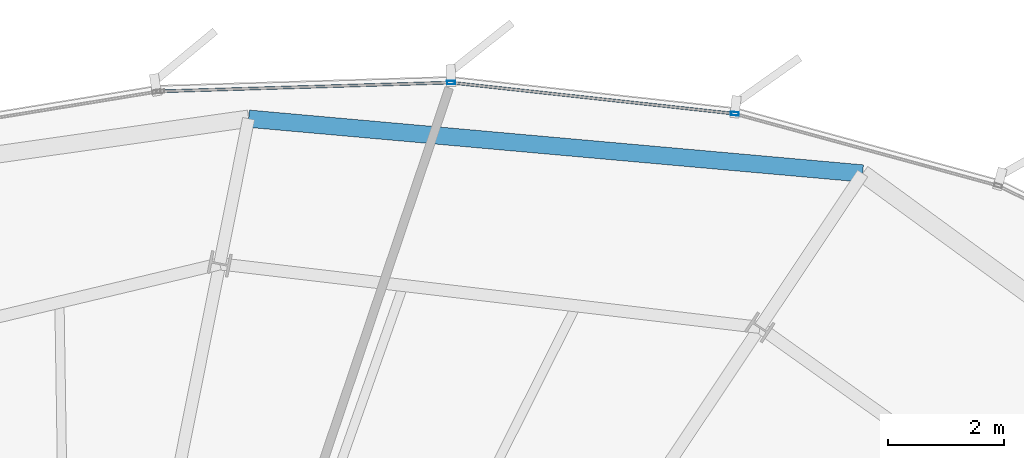
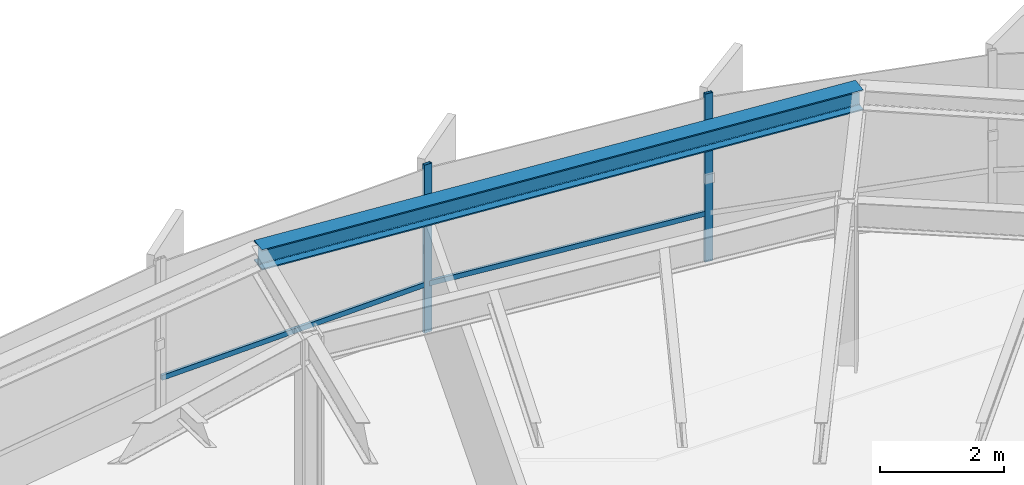
# One storey, part 27 of 36: 4 members, 1 beam, 1 element without a shape of its own.
"""IFC4 building model written with IfcOpenShell, lengths in metres."""

from ifc_helpers import new_model, si_unit, direction, frame, origin, origin_2d, place, context, subcontext, project, spatial, hollow_rectangle, i_section, extrude, source, transform, mapped, material, layer, layer_set, material_profile, profile_set, type_object, element, aggregate, save


model = new_model("IFC4")

# Units and contexts
model_context = context("Model", 3, precision=1e-05, world=origin(), true_north=direction((0.0, 1.0)))
body_context = subcontext(model_context, "Body", "Model", "MODEL_VIEW")
ifc_project = project(units=[si_unit("LENGTHUNIT", "METRE"), si_unit("AREAUNIT", "SQUARE_METRE"), si_unit("VOLUMEUNIT", "CUBIC_METRE"), si_unit("PLANEANGLEUNIT", "RADIAN"), si_unit("MASSUNIT", "GRAM", prefix="KILO"), si_unit("THERMODYNAMICTEMPERATUREUNIT", "KELVIN")], contexts=[model_context])

# Site, building, storey
site_placement = place(None, origin())
site = spatial("IfcSite", under=ifc_project, at=site_placement, CompositionType="ELEMENT")
building_placement = place(site_placement, origin())
building = spatial("IfcBuilding", under=site, at=building_placement, Name="Kethvar Cultural Tower", CompositionType="ELEMENT")
storey_placement = place(building_placement, frame((0.0, 0.0, 150.10009765625)))
storey = spatial("IfcBuildingStorey", under=building, at=storey_placement, Name="L38", CompositionType="ELEMENT", Elevation=150.10009765625)

# Beam
ifc_material_1 = material(Name="Steel S355J2", Category="steel")
ifc_material_profile_1 = material_profile(ifc_material_1, i_section(OverallWidth=0.300048828125, OverallDepth=0.39990234375, WebThickness=0.013427734375, FlangeThickness=0.02392578125, FilletRadius=0.027099609375, at=origin_2d()), Name="Steel S355J2 — HEB400")
ifc_profile_set_1 = profile_set([ifc_material_profile_1], Name="Steel S355J2 — HEB400")
beam_type = type_object("IfcBeamType", Name="BM-SP400", PredefinedType="SPANDREL", material=ifc_profile_set_1)
shared_shape_1 = source(origin(), body_context, "Body", "SweptSolid", [
    extrude(i_section(OverallWidth=0.300048828125, OverallDepth=0.39990234375, WebThickness=0.013427734375, FlangeThickness=0.02392578125, FilletRadius=0.027099609375, at=origin_2d()), origin(), (0.0, 0.0, 1.0), 10.6572265625),
])
beam_placement = place(storey_placement, frame((62.1826171875, 50.821533203125, 3.097900390625), z_axis=(-0.996041871393, 0.088885265554, 0.0), x_axis=(-0.088885265554, -0.996041871393, 0.0)))
element("IfcBeam", 1, at=beam_placement, inside=storey, type_object=beam_type, Name="L38 Perimeter Spandrel Beam SP-03", PredefinedType="SPANDREL", context=body_context, shape_type="MappedRepresentation", body=[
    mapped(shared_shape_1, transform((0.0, 0.0, 0.0), scale=1.0)),
])

# Curtain wall, members
ifc_material_2 = material(Name="Aluminium 6063-T6", Category="aluminium")
ifc_layer = layer(ifc_material_2, 0.179931640625, Name="Aluminium 6063-T6", Category="aluminium")
ifc_layer_set = layer_set([ifc_layer], Name="Aluminium 6063-T6 (180 mm)")
curtain_wall_type = type_object("IfcCurtainWallType", Name="CW-SYS-04-Z34", PredefinedType="NOTDEFINED", material=ifc_layer_set)
curtain_wall_placement = place(storey_placement, origin())
curtain_wall = element("IfcCurtainWall", 2, at=curtain_wall_placement, inside=storey, type_object=curtain_wall_type, Name="L38 Curtain Wall Run 01", PredefinedType="NOTDEFINED")
ifc_material_profile_2 = material_profile(ifc_material_2, hollow_rectangle(XDim=0.06005859375, YDim=0.139892578125, WallThickness=0.0048828125, at=origin_2d()), Name="Aluminium 6063-T6 — RHS140x60x5")
ifc_profile_set_2 = profile_set([ifc_material_profile_2], Name="Aluminium 6063-T6 — RHS140x60x5")
member_type_1 = type_object("IfcMemberType", Name="CW-SYS-04-Z34-MUL", PredefinedType="MULLION", material=ifc_profile_set_2)
shared_shape_2 = source(origin(), body_context, "Body", "SweptSolid", [
    extrude(hollow_rectangle(XDim=0.06005859375, YDim=0.139892578125, WallThickness=0.0048828125, at=origin_2d()), origin(), (0.0, 0.0, 1.0), 3.2998046875),
])
member_1_placement = place(storey_placement, frame((59.971435546875, 51.8544921875, 0.0), z_axis=(0.0, 0.0, 1.0), x_axis=(-0.108970971591, -0.994044932259, 0.0)))
member_1 = element("IfcMember", 3, at=member_1_placement, type_object=member_type_1, Name="CW-L38-R01 Mullion 5", PredefinedType="MULLION", context=body_context, shape_type="MappedRepresentation", body=[
    mapped(shared_shape_2, transform((0.0, 0.0, 0.0), scale=1.0)),
])
member_2_placement = place(storey_placement, frame((55.0673828125, 52.39306640625, 0.0), z_axis=(0.0, 0.0, 1.0), x_axis=(0.030137272261, -0.999545769248, 0.0)))
member_2 = element("IfcMember", 4, at=member_2_placement, type_object=member_type_1, Name="CW-L38-R01 Mullion 6", PredefinedType="MULLION", context=body_context, shape_type="MappedRepresentation", body=[
    mapped(shared_shape_2, transform((0.0, 0.0, 0.0), scale=1.0)),
])
ifc_material_profile_3 = material_profile(ifc_material_2, hollow_rectangle(XDim=0.050048828125, YDim=0.10009765625, WallThickness=0.00390625, at=origin_2d()), Name="Aluminium 6063-T6 — RHS100x50x4")
ifc_profile_set_3 = profile_set([ifc_material_profile_3], Name="Aluminium 6063-T6 — RHS100x50x4")
member_type_2 = type_object("IfcMemberType", Name="CW-SYS-04-Z34-TRN", PredefinedType="USERDEFINED", material=ifc_profile_set_3)
shared_shape_3 = source(origin(), body_context, "Body", "SweptSolid", [
    extrude(hollow_rectangle(XDim=0.050048828125, YDim=0.10009765625, WallThickness=0.00390625, at=origin_2d()), origin(), (0.0, 0.0, 1.0), 4.8623046875),
])
member_3_placement = place(storey_placement, frame((59.928466796875, 51.859130859375, 0.949951171875), z_axis=(-0.994046140456, 0.108959949729, 0.0), x_axis=(-0.108959949729, -0.994046140456, 0.0)))
member_3 = element("IfcMember", 5, at=member_3_placement, type_object=member_type_2, Name="CW-L38-R01 Transom 5", ObjectType="TRANSOM", PredefinedType="USERDEFINED", context=body_context, shape_type="MappedRepresentation", body=[
    mapped(shared_shape_3, transform((0.0, 0.0, 0.0), scale=1.0)),
])
shared_shape_4 = source(origin(), body_context, "Body", "SweptSolid", [
    extrude(hollow_rectangle(XDim=0.050048828125, YDim=0.10009765625, WallThickness=0.00390625, at=origin_2d()), origin(), (0.0, 0.0, 1.0), 4.979736328125),
])
member_4_placement = place(storey_placement, frame((55.024169921875, 52.391845703125, 0.949951171875), z_axis=(-0.99954535258, -0.030151088475, 0.0), x_axis=(0.030151088475, -0.99954535258, 0.0)))
member_4 = element("IfcMember", 6, at=member_4_placement, type_object=member_type_2, Name="CW-L38-R01 Transom 6", ObjectType="TRANSOM", PredefinedType="USERDEFINED", context=body_context, shape_type="MappedRepresentation", body=[
    mapped(shared_shape_4, transform((0.0, 0.0, 0.0), scale=1.0)),
])
aggregate(curtain_wall, [member_1, member_2, member_3, member_4])

save(model, "model.ifc")
